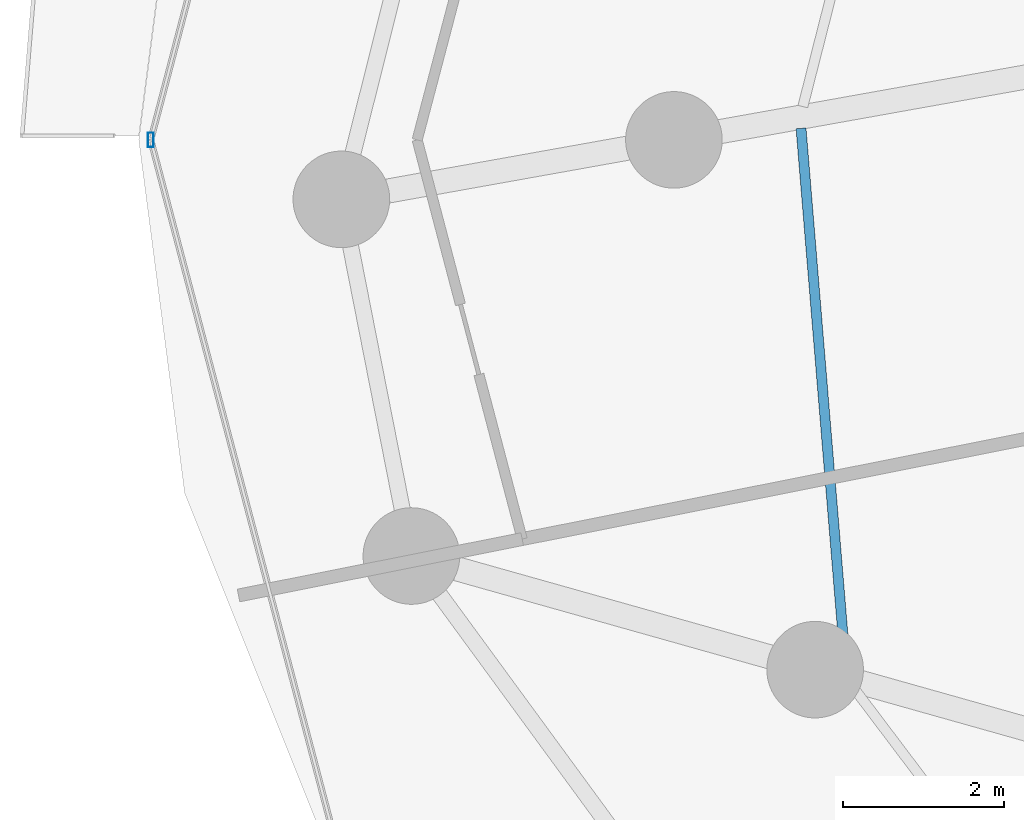
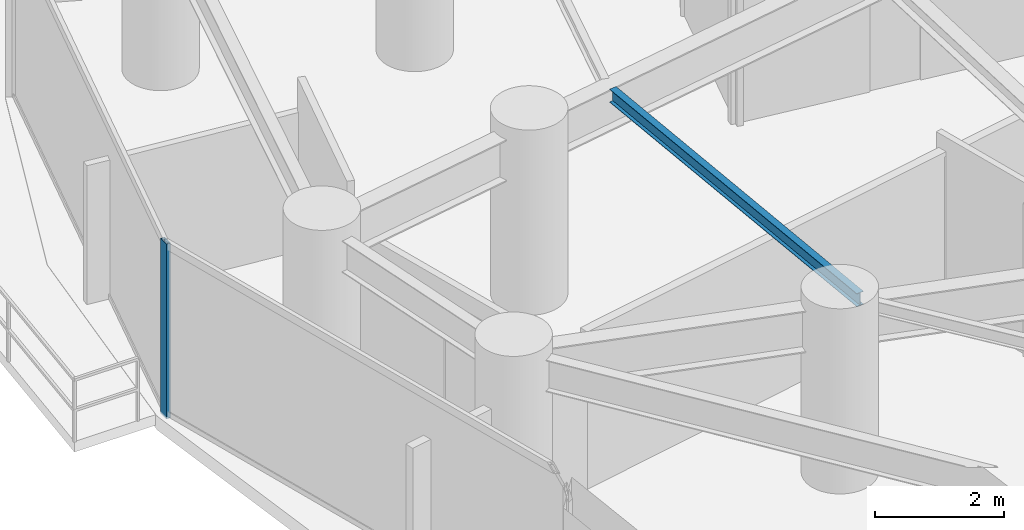
# One storey, part 8 of 35: 1 beam, 1 member, 1 element without a shape of its own.
"""IFC4 building model written with IfcOpenShell, lengths in metres."""

from ifc_helpers import new_model, si_unit, direction, frame, origin, origin_2d, place, context, subcontext, project, spatial, hollow_rectangle, i_section, extrude, material, material_profile, profile_set, type_object, element, aggregate, save


model = new_model("IFC4")

# Units and contexts
model_context = context("Model", 3, precision=1e-05, world=origin(), true_north=direction((0.0, 1.0)))
body_context = subcontext(model_context, "Body", "Model", "MODEL_VIEW")
ifc_project = project(units=[si_unit("LENGTHUNIT", "METRE"), si_unit("AREAUNIT", "SQUARE_METRE"), si_unit("VOLUMEUNIT", "CUBIC_METRE"), si_unit("PLANEANGLEUNIT", "RADIAN"), si_unit("MASSUNIT", "GRAM", prefix="KILO")], contexts=[model_context])

# Site, building, storey
site_placement = place(None, origin())
site = spatial("IfcSite", under=ifc_project, at=site_placement, CompositionType="ELEMENT")
building_placement = place(site_placement, origin())
building = spatial("IfcBuilding", under=site, at=building_placement, Name="Vorneva Point Tower", CompositionType="ELEMENT")
storey_placement = place(building_placement, frame((0.0, 0.0, 52.0)))
storey = spatial("IfcBuildingStorey", under=building, at=storey_placement, Name="L13", CompositionType="ELEMENT", Elevation=52.0)

# Beam
ifc_material_1 = material(Name="Steel S355", Category="steel")
ifc_material_profile_1 = material_profile(ifc_material_1, i_section(OverallWidth=0.1240234375, OverallDepth=0.248046875, WebThickness=0.0048828125, FlangeThickness=0.008056640625, at=origin_2d()), Name="25B1")
ifc_profile_set_1 = profile_set([ifc_material_profile_1], Name="Steel S355")
beam_type = type_object("IfcBeamType", Name="BM-JST-25B1", PredefinedType="JOIST", material=ifc_profile_set_1)
beam_placement = place(storey_placement, frame((16.529296875, 26.142822265625, 3.115966796875), z_axis=(0.082468201041, -0.996593696457, 0.0), x_axis=(0.996593696457, 0.082468201041, 0.0)))
element("IfcBeam", 1, at=beam_placement, inside=storey, type_object=beam_type, Name="L13 Secondary Floor Beam 1.09", PredefinedType="JOIST", context=body_context, shape_type="SweptSolid", body=[
    extrude(i_section(OverallWidth=0.1240234375, OverallDepth=0.248046875, WebThickness=0.0048828125, FlangeThickness=0.008056640625, at=origin_2d()), origin(), (0.0, 0.0, 1.0), 6.72021484375),
])

# Curtain wall, member
ifc_material_2 = material(Name="Pale anodised aluminium", Category="aluminium")
curtain_wall_type = type_object("IfcCurtainWallType", Name="CW-HTL-SYS", PredefinedType="NOTDEFINED", material=ifc_material_2)
curtain_wall_placement = place(storey_placement, origin())
curtain_wall = element("IfcCurtainWall", 2, at=curtain_wall_placement, inside=storey, type_object=curtain_wall_type, Name="L13 Unitised Curtain Wall CW-L13-R03", PredefinedType="NOTDEFINED")
ifc_material_profile_2 = material_profile(ifc_material_2, hollow_rectangle(XDim=0.074951171875, YDim=0.179931640625, WallThickness=0.00390625, at=origin_2d()), Name="AL-MUL 180x75x4")
ifc_profile_set_2 = profile_set([ifc_material_profile_2], Name="Pale anodised aluminium")
member_type = type_object("IfcMemberType", Name="CW-MUL-180", PredefinedType="MULLION", material=ifc_profile_set_2)
member_placement = place(storey_placement, frame((8.449951171875, 26.0, -0.0400390625), z_axis=(0.0, 0.0, 1.0), x_axis=(1.0, 0.0, 0.0)))
member = element("IfcMember", 3, at=member_placement, type_object=member_type, Name="CW-L13-R03 Mullion 02", PredefinedType="MULLION", context=body_context, shape_type="SweptSolid", body=[
    extrude(hollow_rectangle(XDim=0.074951171875, YDim=0.179931640625, WallThickness=0.00390625, at=origin_2d()), origin(), (0.0, 0.0, 1.0), 3.31005859375),
])
aggregate(curtain_wall, [member])

save(model, "model.ifc")
